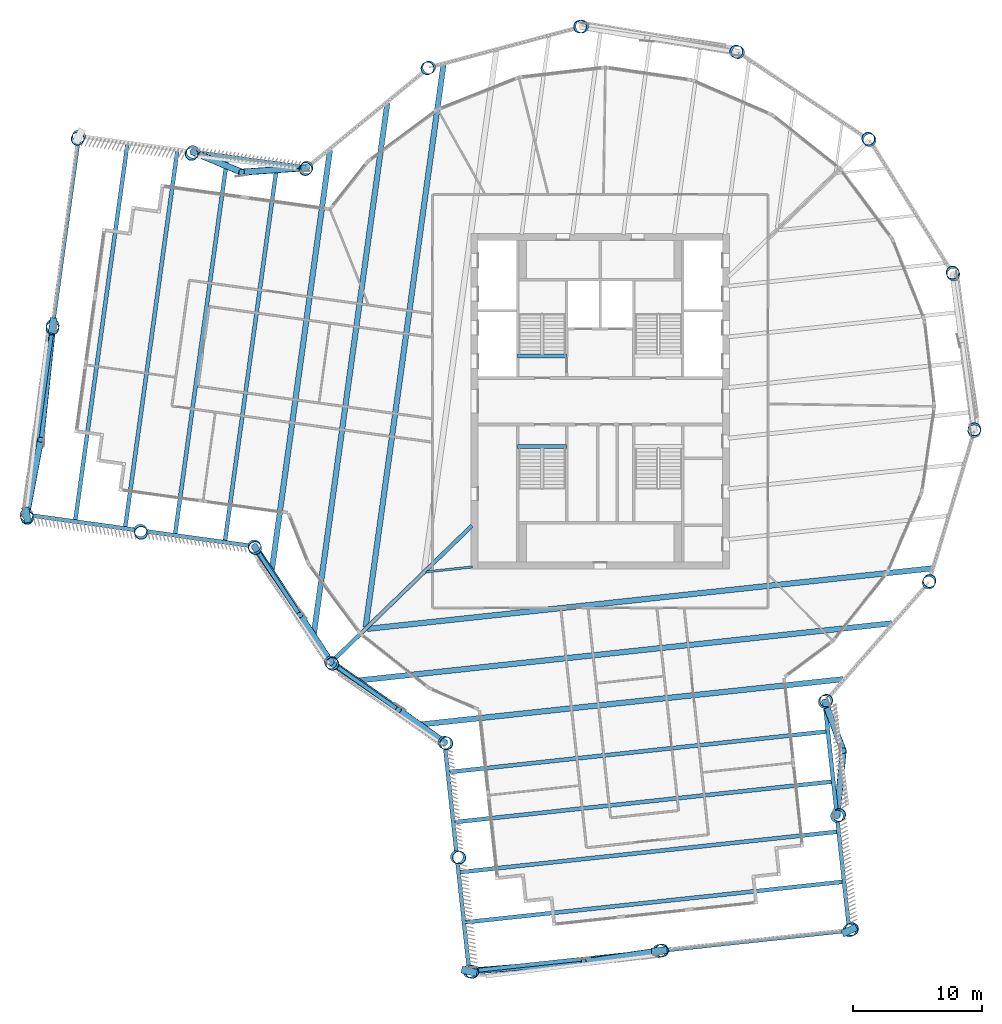
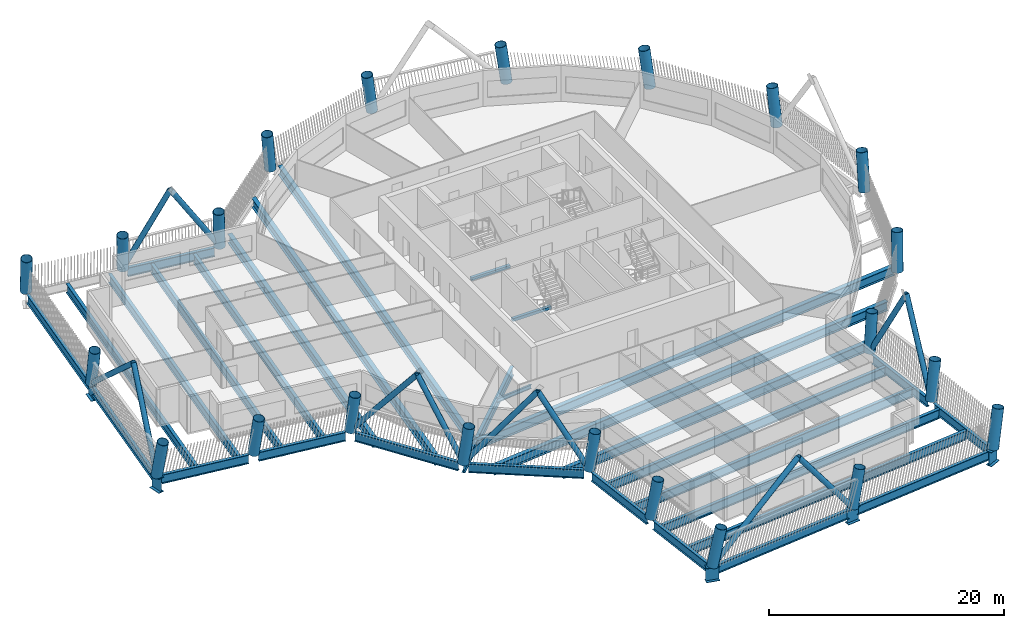
# One storey, part 1 of 21: 36 beams, 22 columns, 12 members.
"""IFC4 building model written with IfcOpenShell, lengths in metres."""

from ifc_helpers import new_model, si_unit, direction, frame, origin, origin_2d, place, context, subcontext, project, spatial, rectangle, hollow_circle, i_section, extrude, material, material_profile, profile_set, type_object, element, save


model = new_model("IFC4")

# Units and contexts
model_context = context("Model", 3, precision=1e-05, world=origin(), true_north=direction((0.0, 1.0)))
body_context = subcontext(model_context, "Body", "Model", "MODEL_VIEW")
ifc_project = project(units=[si_unit("LENGTHUNIT", "METRE"), si_unit("AREAUNIT", "SQUARE_METRE"), si_unit("VOLUMEUNIT", "CUBIC_METRE"), si_unit("PLANEANGLEUNIT", "RADIAN"), si_unit("MASSUNIT", "GRAM", prefix="KILO")], contexts=[model_context])

# Site, building, storey
site_placement = place(None, origin())
site = spatial("IfcSite", under=ifc_project, at=site_placement, CompositionType="ELEMENT")
building_placement = place(site_placement, origin())
building = spatial("IfcBuilding", under=site, at=building_placement, Name="Tarsis Ring Headquarters", CompositionType="ELEMENT")
storey_placement = place(building_placement, frame((0.0, 0.0, 255.199951171875)))
storey = spatial("IfcBuildingStorey", under=building, at=storey_placement, Name="L59", CompositionType="ELEMENT", Elevation=255.199951171875)

# Columns
ifc_material_1 = material(Name="Structural steel S355", Category="steel")
ifc_material_profile_1 = material_profile(ifc_material_1, hollow_circle(Radius=0.508056640625, WallThickness=0.0400390625, at=origin_2d()), Name="CHS 1016x40")
ifc_profile_set_1 = profile_set([ifc_material_profile_1], Name="Structural steel S355")
column_type = type_object("IfcColumnType", Name="XC Exo column CHS 1016x40", PredefinedType="COLUMN", material=ifc_profile_set_1)
for number, where, z_axis, x_axis, name in (
    (1, (-20.851806640625, -20.22412109375, 0.017822265625), (0.0905756057, -0.09176082368, 0.991653170665), (0.711688061177, 0.702495625309, 0.0), "Exo column XC6 F1"),
    (2, (-12.048828125, -26.431884765625, 0.017822265625), (0.117773312693, -0.052461523292, 0.991653788069), (0.406901479803, 0.913472049783, 0.0), "Exo column XC6 AK"),
):
    element("IfcColumn", number, at=place(storey_placement, frame(where, z_axis=z_axis, x_axis=x_axis)), inside=storey, type_object=column_type, Name=name, PredefinedType="COLUMN", context=body_context, shape_type="SweptSolid", body=[
        extrude(hollow_circle(Radius=0.508056640625, WallThickness=0.0400390625, at=origin_2d()), origin(), (0.0, 0.0, 1.0), 3.913818359375),
    ])
column_1_placement = place(storey_placement, frame((-11.09814453125, -35.283447265625, 0.0224609375), z_axis=(0.15615547158, -0.047660663232, 0.986581942809), x_axis=(0.291918769997, 0.956443114735, 0.0)))
element("IfcColumn", 3, at=column_1_placement, inside=storey, type_object=column_type, Name="Exo column XC6 AI1", PredefinedType="COLUMN", context=body_context, shape_type="SweptSolid", body=[
    extrude(hollow_circle(Radius=0.508056640625, WallThickness=0.0400390625, at=origin_2d()), origin(), (0.0, 0.0, 1.0), 3.928955078125),
])
column_2_placement = place(storey_placement, frame((-10.1474609375, -44.135009765625, 0.027099609375), z_axis=(0.194010273217, -0.042831831583, 0.980064002037), x_axis=(0.215579788612, 0.976486228649, 0.0)))
element("IfcColumn", 4, at=column_2_placement, inside=storey, type_object=column_type, Name="Exo column XC6 AT1", PredefinedType="COLUMN", context=body_context, shape_type="SweptSolid", body=[
    extrude(hollow_circle(Radius=0.508056640625, WallThickness=0.0400390625, at=origin_2d()), origin(), (0.0, 0.0, 1.0), 3.9501953125),
])
column_3_placement = place(storey_placement, frame((4.56787109375, -42.555419921875, 0.025634765625), z_axis=(0.186846267413, 0.021668718885, 0.982150161114), x_axis=(-0.11519876125, 0.993342461292, 0.0)))
element("IfcColumn", 5, at=column_3_placement, inside=storey, type_object=column_type, Name="Exo column XC6 AT2", PredefinedType="COLUMN", context=body_context, shape_type="SweptSolid", body=[
    extrude(hollow_circle(Radius=0.508056640625, WallThickness=0.0400390625, at=origin_2d()), origin(), (0.0, 0.0, 1.0), 3.943359375),
])
column_4_placement = place(storey_placement, frame((19.283447265625, -40.975830078125, 0.027099609375), z_axis=(0.178993474853, 0.086097344776, 0.980075804814), x_axis=(-0.433469411123, 0.901168280412, 0.0)))
element("IfcColumn", 6, at=column_4_placement, inside=storey, type_object=column_type, Name="Exo column XC6 AT3", PredefinedType="COLUMN", context=body_context, shape_type="SweptSolid", body=[
    extrude(hollow_circle(Radius=0.508056640625, WallThickness=0.0400390625, at=origin_2d()), origin(), (0.0, 0.0, 1.0), 3.949951171875),
])
column_5_placement = place(storey_placement, frame((18.332763671875, -32.124755859375, 0.0224609375), z_axis=(0.141117363565, 0.082147580199, 0.986578767645), x_axis=(-0.503089997543, 0.864234027548, 0.0)))
element("IfcColumn", 7, at=column_5_placement, inside=storey, type_object=column_type, Name="Exo column XC6 AO1", PredefinedType="COLUMN", context=body_context, shape_type="SweptSolid", body=[
    extrude(hollow_circle(Radius=0.508056640625, WallThickness=0.0400390625, at=origin_2d()), origin(), (0.0, 0.0, 1.0), 3.928955078125),
])
for number, where, z_axis, x_axis, name in (
    (8, (17.38232421875, -23.27392578125, 0.017822265625), (0.102615148599, 0.078037416959, 0.991655329655), (-0.605328611915, 0.795975672742, 0.0), "Exo column XC6 AJ"),
    (9, (25.43017578125, -14.039794921875, 0.017822265625), (0.061319956549, 0.113345229959, 0.9916615964), (-0.879536804039, 0.475830863165, 0.0), "Exo column XC6 R1"),
    (10, (28.95654296875, -2.3095703125, 0.017822265625), (0.009107519558, 0.128565738423, 0.99165916725), (-0.997500293953, 0.070662320678, 0.0), "Exo column XC6 R2"),
    (11, (27.334228515625, 9.831298828125, 0.017822265625), (-0.044664320664, 0.120893091407, 0.991660203351), (-0.938028707658, -0.346557561756, 0.0), "Exo column XC6 R3"),
    (12, (20.851806640625, 20.22412109375, 0.017822265625), (-0.0905756057, 0.09176082368, 0.991653170665), (-0.711688061177, -0.702495625309, 0.0), "Exo column XC6 R4"),
    (13, (10.661865234375, 27.02099609375, 0.017822265625), (-0.120330941434, 0.046285929779, 0.991654212535), (-0.359011501561, -0.93333313546, 0.0), "Exo column XC6 R5"),
    (14, (-1.423828125, 29.013671875, 0.017822265625), (-0.128690165451, -0.007485613114, 0.991656597272), (0.058069561179, -0.99831253927, 0.0), "Exo column XC6 R6"),
    (15, (-13.25634765625, 25.847412109375, 0.017822265625), (-0.114217563868, -0.059822306799, 0.991652983514), (0.463970837895, -0.885850473603, 0.0), "Exo column XC6 R7"),
    (16, (-22.73193359375, 18.085205078125, 0.017822265625), (-0.079347807927, -0.101555213291, 0.991660458035), (0.787995020105, -0.61568161276, 0.0), "Exo column XC6 BJ"),
):
    element("IfcColumn", number, at=place(storey_placement, frame(where, z_axis=z_axis, x_axis=x_axis)), inside=storey, type_object=column_type, Name=name, PredefinedType="COLUMN", context=body_context, shape_type="SweptSolid", body=[
        extrude(hollow_circle(Radius=0.508056640625, WallThickness=0.0400390625, at=origin_2d()), origin(), (0.0, 0.0, 1.0), 3.913818359375),
    ])
column_6_placement = place(storey_placement, frame((-31.550537109375, 19.304443359375, 0.0224609375), z_axis=(-0.084011211738, -0.140060111877, 0.986572491692), x_axis=(0.857560058663, -0.514383850627, 0.0)))
element("IfcColumn", 17, at=column_6_placement, inside=storey, type_object=column_type, Name="Exo column XC6 BO1", PredefinedType="COLUMN", context=body_context, shape_type="SweptSolid", body=[
    extrude(hollow_circle(Radius=0.508056640625, WallThickness=0.0400390625, at=origin_2d()), origin(), (0.0, 0.0, 1.0), 3.928955078125),
])
column_7_placement = place(storey_placement, frame((-40.369140625, 20.523193359375, 0.027099609375), z_axis=(-0.088507740702, -0.177818973463, 0.980074891277), x_axis=(0.895234768193, -0.445594782083, 0.0)))
element("IfcColumn", 18, at=column_7_placement, inside=storey, type_object=column_type, Name="Exo column XC6 BT3", PredefinedType="COLUMN", context=body_context, shape_type="SweptSolid", body=[
    extrude(hollow_circle(Radius=0.508056640625, WallThickness=0.0400390625, at=origin_2d()), origin(), (0.0, 0.0, 1.0), 3.949951171875),
])
column_8_placement = place(storey_placement, frame((-42.396484375, 5.863037109375, 0.025634765625), z_axis=(-0.024144890697, -0.186596668104, 0.982139861581), x_axis=(0.99173199995, -0.128326303909, 0.0)))
element("IfcColumn", 19, at=column_8_placement, inside=storey, type_object=column_type, Name="Exo column XC6 BT2", PredefinedType="COLUMN", context=body_context, shape_type="SweptSolid", body=[
    extrude(hollow_circle(Radius=0.508056640625, WallThickness=0.0400390625, at=origin_2d()), origin(), (0.0, 0.0, 1.0), 3.943359375),
])
column_9_placement = place(storey_placement, frame((-44.423828125, -8.7978515625, 0.027099609375), z_axis=(0.040298143242, -0.194506528809, 0.980073094163), x_axis=(0.979205034971, 0.202873111789, 0.0)))
element("IfcColumn", 20, at=column_9_placement, inside=storey, type_object=column_type, Name="Exo column XC6 BT1", PredefinedType="COLUMN", context=body_context, shape_type="SweptSolid", body=[
    extrude(hollow_circle(Radius=0.508056640625, WallThickness=0.0400390625, at=origin_2d()), origin(), (0.0, 0.0, 1.0), 3.949951171875),
])
column_10_placement = place(storey_placement, frame((-35.605712890625, -10.016357421875, 0.0224609375), z_axis=(0.045609556837, -0.156837222693, 0.986570754636), x_axis=(0.960221265551, 0.279240257098, 0.0)))
element("IfcColumn", 21, at=column_10_placement, inside=storey, type_object=column_type, Name="Exo column XC6 BI1", PredefinedType="COLUMN", context=body_context, shape_type="SweptSolid", body=[
    extrude(hollow_circle(Radius=0.508056640625, WallThickness=0.0400390625, at=origin_2d()), origin(), (0.0, 0.0, 1.0), 3.928955078125),
])
column_11_placement = place(storey_placement, frame((-26.78759765625, -11.235595703125, 0.017822265625), z_axis=(0.050902378046, -0.118397933249, 0.991660666414), x_axis=(0.918693777546, 0.394970559788, 0.0)))
element("IfcColumn", 22, at=column_11_placement, inside=storey, type_object=column_type, Name="Exo column XC6 BK", PredefinedType="COLUMN", context=body_context, shape_type="SweptSolid", body=[
    extrude(hollow_circle(Radius=0.508056640625, WallThickness=0.0400390625, at=origin_2d()), origin(), (0.0, 0.0, 1.0), 3.913818359375),
])

# Beams
ifc_material_profile_2 = material_profile(ifc_material_1, i_section(OverallWidth=0.177734375, OverallDepth=0.406494140625, WebThickness=0.0078125, FlangeThickness=0.0126953125, at=origin_2d()), Name="W16x40")
ifc_profile_set_2 = profile_set([ifc_material_profile_2], Name="Structural steel S355")
beam_type_1 = type_object("IfcBeamType", Name="FB Floor beam W16x40", PredefinedType="JOIST", material=ifc_profile_set_2)
beam_1_placement = place(storey_placement, frame((-13.49169921875, -13.213623046875, -0.363037109375), z_axis=(0.994301735316, 0.106602341192, 0.0), x_axis=(-0.106602341192, 0.994301735316, 0.0)))
element("IfcBeam", 23, at=beam_1_placement, inside=storey, type_object=beam_type_1, Name="Floor beam FB1", PredefinedType="JOIST", context=body_context, shape_type="SweptSolid", body=[
    extrude(i_section(OverallWidth=0.177734375, OverallDepth=0.406494140625, WebThickness=0.0078125, FlangeThickness=0.0126953125, at=origin_2d()), origin(), (0.0, 0.0, 1.0), 3.611572265625),
])
ifc_material_profile_3 = material_profile(ifc_material_1, i_section(OverallWidth=0.309814453125, OverallDepth=0.949951171875, WebThickness=0.0244140625, FlangeThickness=0.0439453125, at=origin_2d()), Name="W36x256")
ifc_profile_set_3 = profile_set([ifc_material_profile_3], Name="Structural steel S355")
beam_type_2 = type_object("IfcBeamType", Name="FB Floor beam W36x256", PredefinedType="JOIST", material=ifc_profile_set_3)
for number, where, z_axis, x_axis, name in (
    (24, (-11.75048828125, -28.71630859375, -0.635009765625), (0.994301415427, 0.106605324817, 0.0), (-0.106605324817, 0.994301415427, 0.0), "Floor beam FB11"),
    (25, (-11.334716796875, -32.59423828125, -0.635009765625), (0.994300537866, 0.10661350946, 0.0), (-0.10661350946, 0.994300537866, 0.0), "Floor beam FB11"),
    (26, (-10.9189453125, -36.471923828125, -0.635009765625), (0.994300537866, 0.10661350946, 0.0), (-0.10661350946, 0.994300537866, 0.0), "Floor beam FB11"),
    (27, (-10.503173828125, -40.349609375, -0.635009765625), (0.994301415427, 0.106605324817, 0.0), (-0.106605324817, 0.994301415427, 0.0), "Floor beam FB11"),
):
    element("IfcBeam", number, at=place(storey_placement, frame(where, z_axis=z_axis, x_axis=x_axis)), inside=storey, type_object=beam_type_2, Name=name, PredefinedType="JOIST", context=body_context, shape_type="SweptSolid", body=[
        extrude(i_section(OverallWidth=0.309814453125, OverallDepth=0.949951171875, WebThickness=0.0244140625, FlangeThickness=0.0439453125, at=origin_2d()), origin(), (0.0, 0.0, 1.0), 29.489990234375),
    ])
for number, where, z_axis, x_axis, name in (
    (28, (-25.020751953125, 18.3486328125, -0.635009765625), (-0.137095697404, -0.990557807376, 0.0), (0.990557807376, -0.137095697404, 0.0), "Floor beam FB11"),
    (29, (-28.8837890625, 18.88330078125, -0.635009765625), (-0.137103820516, -0.990556683083, 0.0), (0.990556683083, -0.137103820516, 0.0), "Floor beam FB11"),
    (30, (-32.7470703125, 19.41796875, -0.635009765625), (-0.137095697404, -0.990557807376, 0.0), (0.990557807376, -0.137095697404, 0.0), "Floor beam FB11"),
    (31, (-36.610107421875, 19.95263671875, -0.635009765625), (-0.137103820516, -0.990556683083, 0.0), (0.990556683083, -0.137103820516, 0.0), "Floor beam FB11"),
):
    element("IfcBeam", number, at=place(storey_placement, frame(where, z_axis=z_axis, x_axis=x_axis)), inside=storey, type_object=beam_type_2, Name=name, PredefinedType="JOIST", context=body_context, shape_type="SweptSolid", body=[
        extrude(i_section(OverallWidth=0.309814453125, OverallDepth=0.949951171875, WebThickness=0.0244140625, FlangeThickness=0.0439453125, at=origin_2d()), origin(), (0.0, 0.0, 1.0), 29.490234375),
    ])
beam_type_3 = type_object("IfcBeamType", Name="FB Floor beam W36x256 spine", PredefinedType="BEAM", material=ifc_profile_set_3)
beam_2_placement = place(storey_placement, frame((-9.92822265625, -9.6279296875, -0.635009765625), z_axis=(-0.717885029221, -0.696161680086, 0.0), x_axis=(0.696161680086, -0.717885029221, 0.0)))
element("IfcBeam", 32, at=beam_2_placement, inside=storey, type_object=beam_type_3, Name="Floor beam SB11", PredefinedType="BEAM", context=body_context, shape_type="SweptSolid", body=[
    extrude(i_section(OverallWidth=0.309814453125, OverallDepth=0.949951171875, WebThickness=0.0244140625, FlangeThickness=0.0439453125, at=origin_2d()), origin(), (0.0, 0.0, 1.0), 15.160888671875),
])
ifc_material_profile_4 = material_profile(ifc_material_1, i_section(OverallWidth=0.42431640625, OverallDepth=0.947509765625, WebThickness=0.02392578125, FlangeThickness=0.042724609375, at=origin_2d()), Name="W36x302")
ifc_profile_set_4 = profile_set([ifc_material_profile_4], Name="Structural steel S355")
beam_type_4 = type_object("IfcBeamType", Name="FB Floor beam W36x302", PredefinedType="JOIST", material=ifc_profile_set_4)
beam_3_placement = place(storey_placement, frame((-18.039306640625, -17.62353515625, -0.633544921875), z_axis=(0.994300793839, 0.106611122172, 0.0), x_axis=(-0.106611122172, 0.994300793839, 0.0)))
element("IfcBeam", 33, at=beam_3_placement, inside=storey, type_object=beam_type_4, Name="Floor beam FB12", PredefinedType="JOIST", context=body_context, shape_type="SweptSolid", body=[
    extrude(i_section(OverallWidth=0.42431640625, OverallDepth=0.947509765625, WebThickness=0.02392578125, FlangeThickness=0.042724609375, at=origin_2d()), origin(), (0.0, 0.0, 1.0), 43.986572265625),
])
beam_4_placement = place(storey_placement, frame((-18.71923828125, -21.618896484375, -0.633544921875), z_axis=(0.994300520414, 0.106613672221, 0.0), x_axis=(-0.106613672221, 0.994300520414, 0.0)))
element("IfcBeam", 34, at=beam_4_placement, inside=storey, type_object=beam_type_4, Name="Floor beam FB12", PredefinedType="JOIST", context=body_context, shape_type="SweptSolid", body=[
    extrude(i_section(OverallWidth=0.42431640625, OverallDepth=0.947509765625, WebThickness=0.02392578125, FlangeThickness=0.042724609375, at=origin_2d()), origin(), (0.0, 0.0, 1.0), 41.523681640625),
])
beam_5_placement = place(storey_placement, frame((-13.891845703125, -25.023681640625, -0.633544921875), z_axis=(0.994300778758, 0.106611262827, 0.0), x_axis=(-0.106611262827, 0.994300778758, 0.0)))
element("IfcBeam", 35, at=beam_5_placement, inside=storey, type_object=beam_type_4, Name="Floor beam FB12", PredefinedType="JOIST", context=body_context, shape_type="SweptSolid", body=[
    extrude(i_section(OverallWidth=0.42431640625, OverallDepth=0.947509765625, WebThickness=0.02392578125, FlangeThickness=0.042724609375, at=origin_2d()), origin(), (0.0, 0.0, 1.0), 32.875244140625),
])
beam_6_placement = place(storey_placement, frame((-12.138916015625, 26.081787109375, -0.633544921875), z_axis=(-0.137098850332, -0.990557370998, 0.0), x_axis=(0.990557370998, -0.137098850332, 0.0)))
element("IfcBeam", 36, at=beam_6_placement, inside=storey, type_object=beam_type_4, Name="Floor beam FB12", PredefinedType="JOIST", context=body_context, shape_type="SweptSolid", body=[
    extrude(i_section(OverallWidth=0.42431640625, OverallDepth=0.947509765625, WebThickness=0.02392578125, FlangeThickness=0.042724609375, at=origin_2d()), origin(), (0.0, 0.0, 1.0), 43.986572265625),
])
beam_7_placement = place(storey_placement, frame((-16.49072265625, 23.085205078125, -0.633544921875), z_axis=(-0.137099362656, -0.990557300089, 0.0), x_axis=(0.990557300089, -0.137099362656, 0.0)))
element("IfcBeam", 37, at=beam_7_placement, inside=storey, type_object=beam_type_4, Name="Floor beam FB12", PredefinedType="JOIST", context=body_context, shape_type="SweptSolid", body=[
    extrude(i_section(OverallWidth=0.42431640625, OverallDepth=0.947509765625, WebThickness=0.02392578125, FlangeThickness=0.042724609375, at=origin_2d()), origin(), (0.0, 0.0, 1.0), 41.523681640625),
])
beam_8_placement = place(storey_placement, frame((-20.931396484375, 19.4482421875, -0.633544921875), z_axis=(-0.137095998917, -0.990557765646, 0.0), x_axis=(0.990557765646, -0.137095998917, 0.0)))
element("IfcBeam", 38, at=beam_8_placement, inside=storey, type_object=beam_type_4, Name="Floor beam FB12", PredefinedType="JOIST", context=body_context, shape_type="SweptSolid", body=[
    extrude(i_section(OverallWidth=0.42431640625, OverallDepth=0.947509765625, WebThickness=0.02392578125, FlangeThickness=0.042724609375, at=origin_2d()), origin(), (0.0, 0.0, 1.0), 32.875244140625),
])
ifc_material_2 = material(Name="Concrete C40/50", Category="concrete")
ifc_material_profile_5 = material_profile(ifc_material_2, rectangle(XDim=0.300048828125, YDim=0.300048828125, at=origin_2d()), Name="Stair head beam 300x300 C40/50")
ifc_profile_set_5 = profile_set([ifc_material_profile_5], Name="Concrete C40/50")
beam_type_5 = type_object("IfcBeamType", Name="Stair head beam 300x300 C40/50", PredefinedType="BEAM", material=ifc_profile_set_5)
for number, where, z_axis, x_axis, name in (
    (39, (-6.39990234375, 3.510009765625, -0.31005859375), (1.0, 0.0, 0.0), (0.0, 1.0, 0.0), "Stair head beam L59 Firefighting stair"),
    (40, (-6.39990234375, -3.510009765625, -0.31005859375), (1.0, 0.0, 0.0), (0.0, 1.0, 0.0), "Stair head beam L59 Exit stair C"),
):
    element("IfcBeam", number, at=place(storey_placement, frame(where, z_axis=z_axis, x_axis=x_axis)), inside=storey, type_object=beam_type_5, Name=name, PredefinedType="BEAM", context=body_context, shape_type="SweptSolid", body=[
        extrude(rectangle(XDim=0.300048828125, YDim=0.300048828125, at=origin_2d()), origin(), (0.0, 0.0, 1.0), 3.7998046875),
    ])

# Members
ifc_material_profile_6 = material_profile(ifc_material_1, hollow_circle(Radius=0.25390625, WallThickness=0.02001953125, at=origin_2d()), Name="CHS 508x20")
ifc_profile_set_6 = profile_set([ifc_material_profile_6], Name="Structural steel S355")
member_type = type_object("IfcMemberType", Name="XD X brace CHS 508x20", PredefinedType="BRACE", material=ifc_profile_set_6)
member_1_placement = place(storey_placement, frame((-20.853515625, -20.222412109375, 0.0), z_axis=(0.518492310634, -0.363579288465, 0.773935284641), x_axis=(0.574134782449, 0.818760802422, 0.0)))
element("IfcMember", 41, at=member_1_placement, inside=storey, type_object=member_type, Name="X brace XD2", PredefinedType="BRACE", context=body_context, shape_type="SweptSolid", body=[
    extrude(hollow_circle(Radius=0.25390625, WallThickness=0.02001953125, at=origin_2d()), origin(), (0.0, 0.0, 1.0), 10.078369140625),
])
member_2_placement = place(storey_placement, frame((-12.05078125, -26.430908203125, 0.0), z_axis=(-0.39966354637, 0.284254287246, 0.871474927858), x_axis=(-0.579590273737, -0.814908040572, 0.0)))
element("IfcMember", 42, at=member_2_placement, inside=storey, type_object=member_type, Name="X brace XD2", PredefinedType="BRACE", context=body_context, shape_type="SweptSolid", body=[
    extrude(hollow_circle(Radius=0.25390625, WallThickness=0.02001953125, at=origin_2d()), origin(), (0.0, 0.0, 1.0), 8.950439453125),
])
member_3_placement = place(storey_placement, frame((-10.152587890625, -44.134033203125, 0.0), z_axis=(0.74963956447, 0.060668408341, 0.659059836138), x_axis=(-0.080666366197, 0.996741158659, 0.0)))
element("IfcMember", 43, at=member_3_placement, inside=storey, type_object=member_type, Name="X brace XD2", PredefinedType="BRACE", context=body_context, shape_type="SweptSolid", body=[
    extrude(hollow_circle(Radius=0.25390625, WallThickness=0.02001953125, at=origin_2d()), origin(), (0.0, 0.0, 1.0), 11.835205078125),
])
member_4_placement = place(storey_placement, frame((4.56298828125, -42.55615234375, 0.0), z_axis=(-0.597251114439, -0.087884621895, 0.797224811164), x_axis=(0.145580859331, -0.98934635664, 0.0)))
element("IfcMember", 44, at=member_4_placement, inside=storey, type_object=member_type, Name="X brace XD2", PredefinedType="BRACE", context=body_context, shape_type="SweptSolid", body=[
    extrude(hollow_circle(Radius=0.25390625, WallThickness=0.02001953125, at=origin_2d()), origin(), (0.0, 0.0, 1.0), 9.783935546875),
])
member_5_placement = place(storey_placement, frame((18.32958984375, -32.126708984375, 0.0), z_axis=(0.051669418238, 0.543931384582, 0.837537414141), x_axis=(-0.995518516214, 0.094566822279, 0.0)))
element("IfcMember", 45, at=member_5_placement, inside=storey, type_object=member_type, Name="X brace XD2", PredefinedType="BRACE", context=body_context, shape_type="SweptSolid", body=[
    extrude(hollow_circle(Radius=0.25390625, WallThickness=0.02001953125, at=origin_2d()), origin(), (0.0, 0.0, 1.0), 9.31298828125),
])
member_6_placement = place(storey_placement, frame((17.38037109375, -23.275146484375, 0.0), z_axis=(0.162779297195, -0.43082754081, 0.887631979192), x_axis=(0.935456138195, 0.353442800908, 0.0)))
element("IfcMember", 46, at=member_6_placement, inside=storey, type_object=member_type, Name="X brace XD2", PredefinedType="BRACE", context=body_context, shape_type="SweptSolid", body=[
    extrude(hollow_circle(Radius=0.25390625, WallThickness=0.02001953125, at=origin_2d()), origin(), (0.0, 0.0, 1.0), 8.78759765625),
])
member_7_placement = place(storey_placement, frame((-22.73046875, 18.087158203125, 0.0), z_axis=(-0.542723706818, -0.037477218951, 0.839074750018), x_axis=(0.068889902315, -0.99762426863, 0.0)))
element("IfcMember", 47, at=member_7_placement, inside=storey, type_object=member_type, Name="X brace XD2", PredefinedType="BRACE", context=body_context, shape_type="SweptSolid", body=[
    extrude(hollow_circle(Radius=0.25390625, WallThickness=0.02001953125, at=origin_2d()), origin(), (0.0, 0.0, 1.0), 9.2958984375),
])
member_8_placement = place(storey_placement, frame((-31.548583984375, 19.3076171875, 0.0), z_axis=(0.428475436256, -0.17816637462, 0.885813492491), x_axis=(0.383944966742, 0.923355978219, 0.0)))
element("IfcMember", 48, at=member_8_placement, inside=storey, type_object=member_type, Name="X brace XD2", PredefinedType="BRACE", context=body_context, shape_type="SweptSolid", body=[
    extrude(hollow_circle(Radius=0.25390625, WallThickness=0.02001953125, at=origin_2d()), origin(), (0.0, 0.0, 1.0), 8.805419921875),
])
member_9_placement = place(storey_placement, frame((-42.395751953125, 5.867919921875, 0.0), z_axis=(-0.079229624959, -0.747635424266, 0.659366316179), x_axis=(0.994431654418, -0.105383512431, 0.0)))
element("IfcMember", 49, at=member_9_placement, inside=storey, type_object=member_type, Name="X brace XD2", PredefinedType="BRACE", context=body_context, shape_type="SweptSolid", body=[
    extrude(hollow_circle(Radius=0.25390625, WallThickness=0.02001953125, at=origin_2d()), origin(), (0.0, 0.0, 1.0), 11.82958984375),
])
member_10_placement = place(storey_placement, frame((-44.4248046875, -8.79248046875, 0.0), z_axis=(0.11151208805, 0.594041250807, 0.796668090586), x_axis=(-0.982833400445, 0.184495276279, 0.0)))
element("IfcMember", 50, at=member_10_placement, inside=storey, type_object=member_type, Name="X brace XD2", PredefinedType="BRACE", context=body_context, shape_type="SweptSolid", body=[
    extrude(hollow_circle(Radius=0.25390625, WallThickness=0.02001953125, at=origin_2d()), origin(), (0.0, 0.0, 1.0), 9.790771484375),
])
member_11_placement = place(storey_placement, frame((-26.78857421875, -11.2333984375, 0.0), z_axis=(0.350355893765, -0.527508120211, 0.773941813585), x_axis=(0.833008330335, 0.553260446438, 0.0)))
element("IfcMember", 51, at=member_11_placement, inside=storey, type_object=member_type, Name="X brace XD2", PredefinedType="BRACE", context=body_context, shape_type="SweptSolid", body=[
    extrude(hollow_circle(Radius=0.25390625, WallThickness=0.02001953125, at=origin_2d()), origin(), (0.0, 0.0, 1.0), 10.078369140625),
])
member_12_placement = place(storey_placement, frame((-20.853515625, -20.222412109375, 0.0), z_axis=(-0.268599559287, 0.410332402798, 0.871482412883), x_axis=(-0.836684371102, -0.547685368759, 0.0)))
element("IfcMember", 52, at=member_12_placement, inside=storey, type_object=member_type, Name="X brace XD2", PredefinedType="BRACE", context=body_context, shape_type="SweptSolid", body=[
    extrude(hollow_circle(Radius=0.25390625, WallThickness=0.02001953125, at=origin_2d()), origin(), (0.0, 0.0, 1.0), 8.950439453125),
])

# Beams
ifc_material_profile_7 = material_profile(ifc_material_1, i_section(OverallWidth=0.550048828125, OverallDepth=1.5, WebThickness=0.030029296875, FlangeThickness=0.050048828125, at=origin_2d()), Name="PG 1500x550x30x50")
ifc_profile_set_7 = profile_set([ifc_material_profile_7], Name="Structural steel S355")
beam_type_6 = type_object("IfcBeamType", Name="XG Ring girder PG 1500x550x30x50", PredefinedType="BEAM", material=ifc_profile_set_7)
beam_9_placement = place(storey_placement, frame((-10.732177734375, -44.000732421875, -0.73291015625), z_axis=(0.974596495953, -0.22396801128, 0.0), x_axis=(0.22396801128, 0.974596495953, 0.0)))
element("IfcBeam", 53, at=beam_9_placement, inside=storey, type_object=beam_type_6, Name="Ring girder XG6", PredefinedType="BEAM", context=body_context, shape_type="SweptSolid", body=[
    extrude(i_section(OverallWidth=0.550048828125, OverallDepth=1.5, WebThickness=0.030029296875, FlangeThickness=0.050048828125, at=origin_2d()), origin(), (0.0, 0.0, 1.0), 1.2001953125),
])
for number, where, z_axis, x_axis, name in (
    (54, (3.97119140625, -42.61962890625, -0.734375), (0.994279096664, 0.1068132854, 0.0), (-0.1068132854, 0.994279096664, 0.0), "Ring girder XG6"),
    (55, (18.74072265625, -41.2314453125, -0.73291015625), (0.904795645687, 0.425846027979, 0.0), (-0.425846027979, 0.904795645687, 0.0), "Ring girder XG6"),
    (56, (-42.314208984375, 6.457275390625, -0.734375), (-0.137119277541, -0.990554543539, 0.0), (0.990554543539, -0.137119277541, 0.0), "Ring girder XG6"),
    (57, (-44.540283203125, -8.209228515625, -0.73291015625), (0.194315859207, -0.980939012814, 0.0), (0.980939012814, 0.194315859207, 0.0), "Ring girder XG6"),
):
    element("IfcBeam", number, at=place(storey_placement, frame(where, z_axis=z_axis, x_axis=x_axis)), inside=storey, type_object=beam_type_6, Name=name, PredefinedType="BEAM", context=body_context, shape_type="SweptSolid", body=[
        extrude(i_section(OverallWidth=0.550048828125, OverallDepth=1.5, WebThickness=0.030029296875, FlangeThickness=0.050048828125, at=origin_2d()), origin(), (0.0, 0.0, 1.0), 1.199951171875),
    ])
ifc_material_profile_8 = material_profile(ifc_material_1, i_section(OverallWidth=0.309814453125, OverallDepth=0.93212890625, WebThickness=0.02099609375, FlangeThickness=0.034423828125, at=origin_2d()), Name="W36x210")
ifc_profile_set_8 = profile_set([ifc_material_profile_8], Name="Structural steel S355")
beam_type_7 = type_object("IfcBeamType", Name="XG Ring girder W36x210", PredefinedType="BEAM", material=ifc_profile_set_8)
beam_10_placement = place(storey_placement, frame((-20.479736328125, -20.486083984375, -0.466064453125), z_axis=(0.817188139637, -0.576371012835, 0.0), x_axis=(0.576371012835, 0.817188139637, 0.0)))
element("IfcBeam", 58, at=beam_10_placement, inside=storey, type_object=beam_type_7, Name="Ring girder XG3", PredefinedType="BEAM", context=body_context, shape_type="SweptSolid", body=[
    extrude(i_section(OverallWidth=0.309814453125, OverallDepth=0.93212890625, WebThickness=0.02099609375, FlangeThickness=0.034423828125, at=origin_2d()), origin(), (0.0, 0.0, 1.0), 9.857177734375),
])
for number, where, z_axis, x_axis, name in (
    (59, (-12.002197265625, -26.885498046875, -0.466064453125), (0.106606507279, -0.994301288647, 0.0), (0.994301288647, 0.106606507279, 0.0), "Ring girder XG3"),
    (60, (-11.052978515625, -35.737060546875, -0.466064453125), (0.106606507279, -0.994301288647, 0.0), (0.994301288647, 0.106606507279, 0.0), "Ring girder XG3"),
):
    element("IfcBeam", number, at=place(storey_placement, frame(where, z_axis=z_axis, x_axis=x_axis)), inside=storey, type_object=beam_type_7, Name=name, PredefinedType="BEAM", context=body_context, shape_type="SweptSolid", body=[
        extrude(i_section(OverallWidth=0.309814453125, OverallDepth=0.93212890625, WebThickness=0.02099609375, FlangeThickness=0.034423828125, at=origin_2d()), origin(), (0.0, 0.0, 1.0), 7.98779296875),
    ])
for number, where, z_axis, x_axis, name in (
    (61, (-9.697998046875, -44.085205078125, -0.466064453125), (0.994299904471, 0.106619416469, 0.0), (-0.106619416469, 0.994299904471, 0.0), "Ring girder XG3"),
    (62, (5.017578125, -42.50732421875, -0.466064453125), (0.994299904471, 0.106619416469, 0.0), (-0.106619416469, 0.994299904471, 0.0), "Ring girder XG3"),
):
    element("IfcBeam", number, at=place(storey_placement, frame(where, z_axis=z_axis, x_axis=x_axis)), inside=storey, type_object=beam_type_7, Name=name, PredefinedType="BEAM", context=body_context, shape_type="SweptSolid", body=[
        extrude(i_section(OverallWidth=0.309814453125, OverallDepth=0.93212890625, WebThickness=0.02099609375, FlangeThickness=0.034423828125, at=origin_2d()), origin(), (0.0, 0.0, 1.0), 13.885498046875),
    ])
beam_11_placement = place(storey_placement, frame((19.22998046875, -40.523681640625, -0.466064453125), z_axis=(-0.106636723568, 0.994298048468, 0.0), x_axis=(-0.994298048468, -0.106636723568, 0.0)))
element("IfcBeam", 63, at=beam_11_placement, inside=storey, type_object=beam_type_7, Name="Ring girder XG3", PredefinedType="BEAM", context=body_context, shape_type="SweptSolid", body=[
    extrude(i_section(OverallWidth=0.309814453125, OverallDepth=0.93212890625, WebThickness=0.02099609375, FlangeThickness=0.034423828125, at=origin_2d()), origin(), (0.0, 0.0, 1.0), 7.988037109375),
])
for number, where, z_axis, x_axis, name in (
    (64, (18.28076171875, -31.672119140625, -0.466064453125), (-0.106606507279, 0.994301288647, 0.0), (-0.994301288647, -0.106606507279, 0.0), "Ring girder XG3"),
    (65, (-23.183349609375, 18.14990234375, -0.466064453125), (-0.99055982986, 0.137081083555, 0.0), (-0.137081083555, -0.99055982986, 0.0), "Ring girder XG3"),
):
    element("IfcBeam", number, at=place(storey_placement, frame(where, z_axis=z_axis, x_axis=x_axis)), inside=storey, type_object=beam_type_7, Name=name, PredefinedType="BEAM", context=body_context, shape_type="SweptSolid", body=[
        extrude(i_section(OverallWidth=0.309814453125, OverallDepth=0.93212890625, WebThickness=0.02099609375, FlangeThickness=0.034423828125, at=origin_2d()), origin(), (0.0, 0.0, 1.0), 7.98779296875),
    ])
beam_12_placement = place(storey_placement, frame((-40.429443359375, 20.0751953125, -0.466064453125), z_axis=(-0.137107407837, -0.990556186552, 0.0), x_axis=(0.990556186552, -0.137107407837, 0.0)))
element("IfcBeam", 66, at=beam_12_placement, inside=storey, type_object=beam_type_7, Name="Ring girder XG3", PredefinedType="BEAM", context=body_context, shape_type="SweptSolid", body=[
    extrude(i_section(OverallWidth=0.309814453125, OverallDepth=0.93212890625, WebThickness=0.02099609375, FlangeThickness=0.034423828125, at=origin_2d()), origin(), (0.0, 0.0, 1.0), 13.885498046875),
])
beam_13_placement = place(storey_placement, frame((-42.45849609375, 5.4150390625, -0.466064453125), z_axis=(-0.13710501997, -0.990556517065, 0.0), x_axis=(0.990556517065, -0.13710501997, 0.0)))
element("IfcBeam", 67, at=beam_13_placement, inside=storey, type_object=beam_type_7, Name="Ring girder XG3", PredefinedType="BEAM", context=body_context, shape_type="SweptSolid", body=[
    extrude(i_section(OverallWidth=0.309814453125, OverallDepth=0.93212890625, WebThickness=0.02099609375, FlangeThickness=0.034423828125, at=origin_2d()), origin(), (0.0, 0.0, 1.0), 13.8857421875),
])
for number, where, z_axis, x_axis, name in (
    (68, (-43.971923828125, -8.855224609375, -0.466064453125), (0.99055982986, -0.137081083555, 0.0), (0.137081083555, 0.99055982986, 0.0), "Ring girder XG3"),
    (69, (-35.15380859375, -10.07568359375, -0.466064453125), (0.99055982986, -0.137081083555, 0.0), (0.137081083555, 0.99055982986, 0.0), "Ring girder XG3"),
):
    element("IfcBeam", number, at=place(storey_placement, frame(where, z_axis=z_axis, x_axis=x_axis)), inside=storey, type_object=beam_type_7, Name=name, PredefinedType="BEAM", context=body_context, shape_type="SweptSolid", body=[
        extrude(i_section(OverallWidth=0.309814453125, OverallDepth=0.93212890625, WebThickness=0.02099609375, FlangeThickness=0.034423828125, at=origin_2d()), origin(), (0.0, 0.0, 1.0), 7.98779296875),
    ])
beam_14_placement = place(storey_placement, frame((-26.53662109375, -11.614990234375, -0.466064453125), z_axis=(0.550979530156, -0.834518757937, 0.0), x_axis=(0.834518757937, 0.550979530156, 0.0)))
element("IfcBeam", 70, at=beam_14_placement, inside=storey, type_object=beam_type_7, Name="Ring girder XG3", PredefinedType="BEAM", context=body_context, shape_type="SweptSolid", body=[
    extrude(i_section(OverallWidth=0.309814453125, OverallDepth=0.93212890625, WebThickness=0.02099609375, FlangeThickness=0.034423828125, at=origin_2d()), origin(), (0.0, 0.0, 1.0), 9.857177734375),
])

save(model, "model.ifc")
